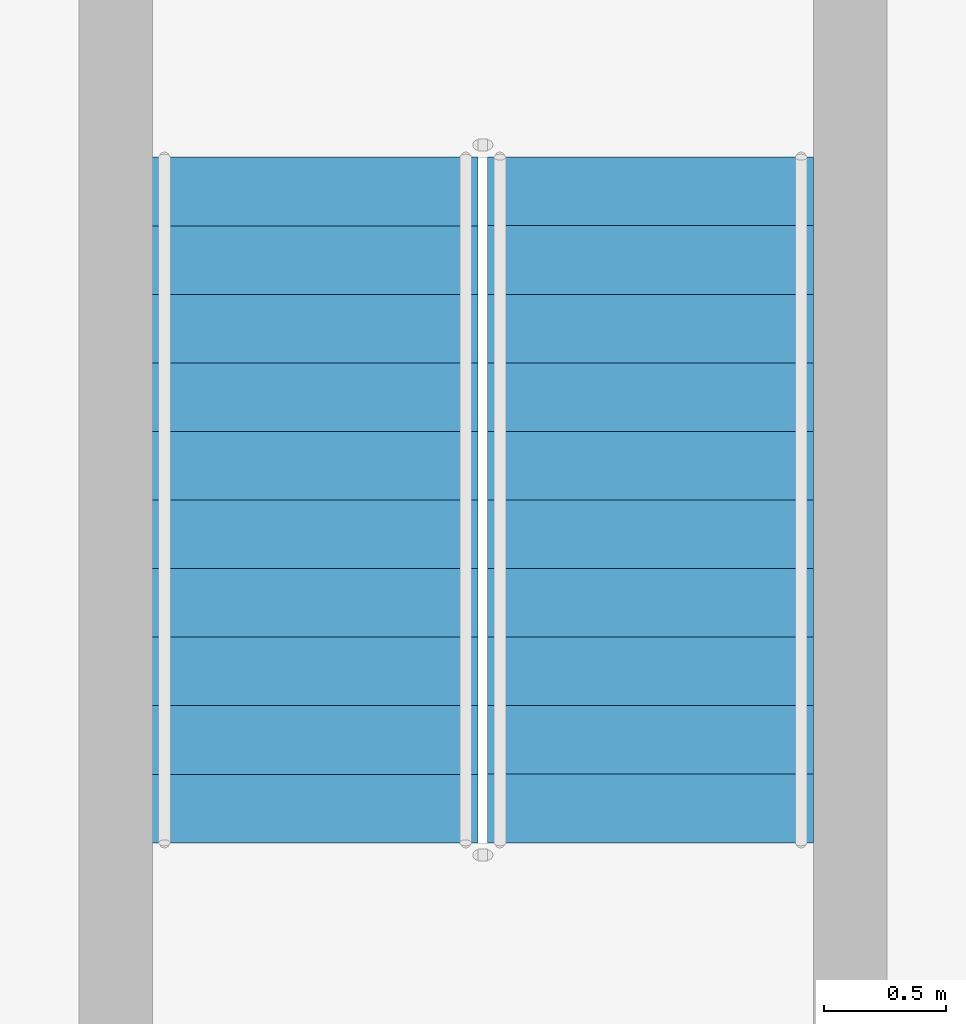
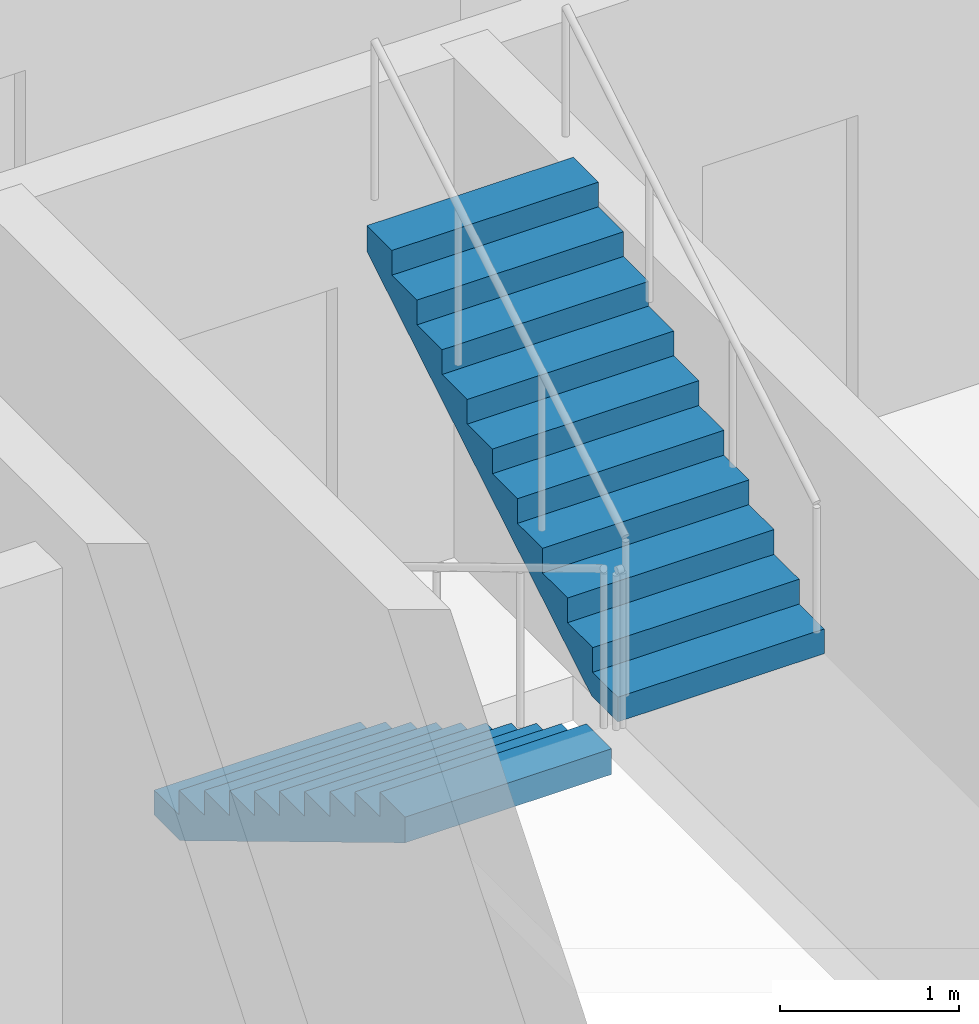
# One storey, part 14 of 20: 2 stair flights, 1 element without a shape of its own.
"""IFC4 building model written with IfcOpenShell, lengths in metres."""

from ifc_helpers import new_model, si_unit, direction, frame, origin, place, context, subcontext, project, spatial, triangles, source, transform, mapped, material, type_object, element, aggregate, save


model = new_model("IFC4")

# Units and contexts
model_context = context("Model", 3, precision=1e-05, world=origin(), true_north=direction((0.0, 1.0)))
body_context = subcontext(model_context, "Body", "Model", "MODEL_VIEW")
ifc_project = project(units=[si_unit("LENGTHUNIT", "METRE"), si_unit("AREAUNIT", "SQUARE_METRE"), si_unit("VOLUMEUNIT", "CUBIC_METRE"), si_unit("PLANEANGLEUNIT", "RADIAN"), si_unit("MASSUNIT", "GRAM", prefix="KILO")], contexts=[model_context])

# Site, building, storey
site_placement = place(None, origin())
site = spatial("IfcSite", under=ifc_project, at=site_placement, CompositionType="ELEMENT")
building_placement = place(site_placement, origin())
building = spatial("IfcBuilding", under=site, at=building_placement, Name="Ogive Portal Towers", CompositionType="ELEMENT")
storey_placement = place(building_placement, frame((0.0, 0.0, 195.800048828125)))
storey = spatial("IfcBuildingStorey", under=building, at=storey_placement, Name="L48", CompositionType="ELEMENT", Elevation=195.800048828125)

# Stair, stair flights
ifc_material = material(Name="Concrete C40/50", Category="concrete")
stair_type = type_object("IfcStairType", Name="INT-STAIR", PredefinedType="HALF_TURN_STAIR", material=ifc_material)
stair_placement = place(storey_placement, origin())
stair = element("IfcStair", 1, at=stair_placement, inside=storey, type_object=stair_type, Name="L48 Exit Stair ST-A4", PredefinedType="HALF_TURN_STAIR")
stair_flight_type = type_object("IfcStairFlightType", Name="INT-FLIGHT", PredefinedType="STRAIGHT", material=ifc_material)
shared_shape = source(origin(), body_context, "Body", "Tessellation", [
    triangles([(0.0, -0.6650390625, 0.0), (0.0, -0.384765625, 0.0), (0.0, -0.197021484375, 0.0), (0.0, -0.0830078125, 0.0), (0.0, -0.024658203125, 0.0), (0.0, -0.003173828125, 0.0), (0.0, 0.0, 0.0), (0.0, 0.003173828125, 0.0), (0.0, 0.024658203125, 0.0), (0.0, 0.0830078125, 0.0), (0.0, 0.197021484375, 0.0), (0.0, 0.384765625, 0.0), (0.0, 0.6650390625, 0.0), (0.0, -0.6650390625, 0.168212890625), (0.0, -0.384765625, 0.168212890625), (0.0, -0.197021484375, 0.168212890625), (0.0, -0.0830078125, 0.168212890625), (0.0, -0.024658203125, 0.168212890625), (0.0, -0.003173828125, 0.168212890625), (0.0, 0.0, 0.168212890625), (0.0, 0.003173828125, 0.168212890625), (0.0, 0.024658203125, 0.168212890625), (0.0, 0.0830078125, 0.168212890625), (0.0, 0.197021484375, 0.168212890625), (0.0, 0.384765625, 0.168212890625), (0.0, 0.6650390625, 0.168212890625), (0.280029296875, -0.6650390625, 0.168212890625), (0.280029296875, -0.384765625, 0.168212890625), (0.280029296875, -0.197021484375, 0.168212890625), (0.280029296875, -0.0830078125, 0.168212890625), (0.280029296875, -0.024658203125, 0.168212890625), (0.280029296875, -0.003173828125, 0.168212890625), (0.280029296875, 0.0, 0.168212890625), (0.280029296875, 0.003173828125, 0.168212890625), (0.280029296875, 0.024658203125, 0.168212890625), (0.280029296875, 0.0830078125, 0.168212890625), (0.280029296875, 0.197021484375, 0.168212890625), (0.280029296875, 0.384765625, 0.168212890625), (0.280029296875, 0.6650390625, 0.168212890625), (0.280029296875, -0.6650390625, 0.33642578125), (0.280029296875, -0.384765625, 0.33642578125), (0.280029296875, -0.197021484375, 0.33642578125), (0.280029296875, -0.0830078125, 0.33642578125), (0.280029296875, -0.024658203125, 0.33642578125), (0.280029296875, -0.003173828125, 0.33642578125), (0.280029296875, 0.0, 0.33642578125), (0.280029296875, 0.003173828125, 0.33642578125), (0.280029296875, 0.024658203125, 0.33642578125), (0.280029296875, 0.0830078125, 0.33642578125), (0.280029296875, 0.197021484375, 0.33642578125), (0.280029296875, 0.384765625, 0.33642578125), (0.280029296875, 0.6650390625, 0.33642578125), (0.56005859375, -0.6650390625, 0.33642578125), (0.56005859375, -0.384765625, 0.33642578125), (0.56005859375, -0.197021484375, 0.33642578125), (0.56005859375, -0.0830078125, 0.33642578125), (0.56005859375, -0.024658203125, 0.33642578125), (0.56005859375, -0.003173828125, 0.33642578125), (0.56005859375, 0.0, 0.33642578125), (0.56005859375, 0.003173828125, 0.33642578125), (0.56005859375, 0.024658203125, 0.33642578125), (0.56005859375, 0.0830078125, 0.33642578125), (0.56005859375, 0.197021484375, 0.33642578125), (0.56005859375, 0.384765625, 0.33642578125), (0.56005859375, 0.6650390625, 0.33642578125), (0.56005859375, -0.6650390625, 0.504638671875), (0.56005859375, -0.384765625, 0.504638671875), (0.56005859375, -0.197021484375, 0.504638671875), (0.56005859375, -0.0830078125, 0.504638671875), (0.56005859375, -0.024658203125, 0.504638671875), (0.56005859375, -0.003173828125, 0.504638671875), (0.56005859375, 0.0, 0.504638671875), (0.56005859375, 0.003173828125, 0.504638671875), (0.56005859375, 0.024658203125, 0.504638671875), (0.56005859375, 0.0830078125, 0.504638671875), (0.56005859375, 0.197021484375, 0.504638671875), (0.56005859375, 0.384765625, 0.504638671875), (0.56005859375, 0.6650390625, 0.504638671875), (0.840087890625, -0.6650390625, 0.504638671875), (0.840087890625, -0.384765625, 0.504638671875), (0.840087890625, -0.197021484375, 0.504638671875), (0.840087890625, -0.0830078125, 0.504638671875), (0.840087890625, -0.024658203125, 0.504638671875), (0.840087890625, -0.003173828125, 0.504638671875), (0.840087890625, 0.0, 0.504638671875), (0.840087890625, 0.003173828125, 0.504638671875), (0.840087890625, 0.024658203125, 0.504638671875), (0.840087890625, 0.0830078125, 0.504638671875), (0.840087890625, 0.197021484375, 0.504638671875), (0.840087890625, 0.384765625, 0.504638671875), (0.840087890625, 0.6650390625, 0.504638671875), (0.840087890625, -0.6650390625, 0.672607421875), (0.840087890625, -0.384765625, 0.672607421875), (0.840087890625, -0.197021484375, 0.672607421875), (0.840087890625, -0.0830078125, 0.672607421875), (0.840087890625, -0.024658203125, 0.672607421875), (0.840087890625, -0.003173828125, 0.672607421875), (0.840087890625, 0.0, 0.672607421875), (0.840087890625, 0.003173828125, 0.672607421875), (0.840087890625, 0.024658203125, 0.672607421875), (0.840087890625, 0.0830078125, 0.672607421875), (0.840087890625, 0.197021484375, 0.672607421875), (0.840087890625, 0.384765625, 0.672607421875), (0.840087890625, 0.6650390625, 0.672607421875), (1.1201171875, -0.6650390625, 0.672607421875), (1.1201171875, -0.384765625, 0.672607421875), (1.1201171875, -0.197021484375, 0.672607421875), (1.1201171875, -0.0830078125, 0.672607421875), (1.1201171875, -0.024658203125, 0.672607421875), (1.1201171875, -0.003173828125, 0.672607421875), (1.1201171875, 0.0, 0.672607421875), (1.1201171875, 0.003173828125, 0.672607421875), (1.1201171875, 0.024658203125, 0.672607421875), (1.1201171875, 0.0830078125, 0.672607421875), (1.1201171875, 0.197021484375, 0.672607421875), (1.1201171875, 0.384765625, 0.672607421875), (1.1201171875, 0.6650390625, 0.672607421875), (1.1201171875, -0.6650390625, 0.8408203125), (1.1201171875, -0.384765625, 0.8408203125), (1.1201171875, -0.197021484375, 0.8408203125), (1.1201171875, -0.0830078125, 0.8408203125), (1.1201171875, -0.024658203125, 0.8408203125), (1.1201171875, -0.003173828125, 0.8408203125), (1.1201171875, 0.0, 0.8408203125), (1.1201171875, 0.003173828125, 0.8408203125), (1.1201171875, 0.024658203125, 0.8408203125), (1.1201171875, 0.0830078125, 0.8408203125), (1.1201171875, 0.197021484375, 0.8408203125), (1.1201171875, 0.384765625, 0.8408203125), (1.1201171875, 0.6650390625, 0.8408203125), (1.39990234375, -0.6650390625, 0.8408203125), (1.39990234375, -0.384765625, 0.8408203125), (1.39990234375, -0.197021484375, 0.8408203125), (1.39990234375, -0.0830078125, 0.8408203125), (1.39990234375, -0.024658203125, 0.8408203125), (1.39990234375, -0.003173828125, 0.8408203125), (1.39990234375, 0.0, 0.8408203125), (1.39990234375, 0.003173828125, 0.8408203125), (1.39990234375, 0.024658203125, 0.8408203125), (1.39990234375, 0.0830078125, 0.8408203125), (1.39990234375, 0.197021484375, 0.8408203125), (1.39990234375, 0.384765625, 0.8408203125), (1.39990234375, 0.6650390625, 0.8408203125), (1.39990234375, -0.6650390625, 1.009033203125), (1.39990234375, -0.384765625, 1.009033203125), (1.39990234375, -0.197021484375, 1.009033203125), (1.39990234375, -0.0830078125, 1.009033203125), (1.39990234375, -0.024658203125, 1.009033203125), (1.39990234375, -0.003173828125, 1.009033203125), (1.39990234375, 0.0, 1.009033203125), (1.39990234375, 0.003173828125, 1.009033203125), (1.39990234375, 0.024658203125, 1.009033203125), (1.39990234375, 0.0830078125, 1.009033203125), (1.39990234375, 0.197021484375, 1.009033203125), (1.39990234375, 0.384765625, 1.009033203125), (1.39990234375, 0.6650390625, 1.009033203125), (1.679931640625, -0.6650390625, 1.009033203125), (1.679931640625, -0.384765625, 1.009033203125), (1.679931640625, -0.197021484375, 1.009033203125), (1.679931640625, -0.0830078125, 1.009033203125), (1.679931640625, -0.024658203125, 1.009033203125), (1.679931640625, -0.003173828125, 1.009033203125), (1.679931640625, 0.0, 1.009033203125), (1.679931640625, 0.003173828125, 1.009033203125), (1.679931640625, 0.024658203125, 1.009033203125), (1.679931640625, 0.0830078125, 1.009033203125), (1.679931640625, 0.197021484375, 1.009033203125), (1.679931640625, 0.384765625, 1.009033203125), (1.679931640625, 0.6650390625, 1.009033203125), (1.679931640625, -0.6650390625, 1.17724609375), (1.679931640625, -0.384765625, 1.17724609375), (1.679931640625, -0.197021484375, 1.17724609375), (1.679931640625, -0.0830078125, 1.17724609375), (1.679931640625, -0.024658203125, 1.17724609375), (1.679931640625, -0.003173828125, 1.17724609375), (1.679931640625, 0.0, 1.17724609375), (1.679931640625, 0.003173828125, 1.17724609375), (1.679931640625, 0.024658203125, 1.17724609375), (1.679931640625, 0.0830078125, 1.17724609375), (1.679931640625, 0.197021484375, 1.17724609375), (1.679931640625, 0.384765625, 1.17724609375), (1.679931640625, 0.6650390625, 1.17724609375), (1.9599609375, -0.6650390625, 1.17724609375), (1.9599609375, -0.384765625, 1.17724609375), (1.9599609375, -0.197021484375, 1.17724609375), (1.9599609375, -0.0830078125, 1.17724609375), (1.9599609375, -0.024658203125, 1.17724609375), (1.9599609375, -0.003173828125, 1.17724609375), (1.9599609375, 0.0, 1.17724609375), (1.9599609375, 0.003173828125, 1.17724609375), (1.9599609375, 0.024658203125, 1.17724609375), (1.9599609375, 0.0830078125, 1.17724609375), (1.9599609375, 0.197021484375, 1.17724609375), (1.9599609375, 0.384765625, 1.17724609375), (1.9599609375, 0.6650390625, 1.17724609375), (1.9599609375, -0.6650390625, 1.345458984375), (1.9599609375, -0.384765625, 1.345458984375), (1.9599609375, -0.197021484375, 1.345458984375), (1.9599609375, -0.0830078125, 1.345458984375), (1.9599609375, -0.024658203125, 1.345458984375), (1.9599609375, -0.003173828125, 1.345458984375), (1.9599609375, 0.0, 1.345458984375), (1.9599609375, 0.003173828125, 1.345458984375), (1.9599609375, 0.024658203125, 1.345458984375), (1.9599609375, 0.0830078125, 1.345458984375), (1.9599609375, 0.197021484375, 1.345458984375), (1.9599609375, 0.384765625, 1.345458984375), (1.9599609375, 0.6650390625, 1.345458984375), (2.239990234375, -0.6650390625, 1.345458984375), (2.239990234375, -0.384765625, 1.345458984375), (2.239990234375, -0.197021484375, 1.345458984375), (2.239990234375, -0.0830078125, 1.345458984375), (2.239990234375, -0.024658203125, 1.345458984375), (2.239990234375, -0.003173828125, 1.345458984375), (2.239990234375, 0.0, 1.345458984375), (2.239990234375, 0.003173828125, 1.345458984375), (2.239990234375, 0.024658203125, 1.345458984375), (2.239990234375, 0.0830078125, 1.345458984375), (2.239990234375, 0.197021484375, 1.345458984375), (2.239990234375, 0.384765625, 1.345458984375), (2.239990234375, 0.6650390625, 1.345458984375), (2.239990234375, -0.6650390625, 1.513671875), (2.239990234375, -0.384765625, 1.513671875), (2.239990234375, -0.197021484375, 1.513671875), (2.239990234375, -0.0830078125, 1.513671875), (2.239990234375, -0.024658203125, 1.513671875), (2.239990234375, -0.003173828125, 1.513671875), (2.239990234375, 0.0, 1.513671875), (2.239990234375, 0.003173828125, 1.513671875), (2.239990234375, 0.024658203125, 1.513671875), (2.239990234375, 0.0830078125, 1.513671875), (2.239990234375, 0.197021484375, 1.513671875), (2.239990234375, 0.384765625, 1.513671875), (2.239990234375, 0.6650390625, 1.513671875), (2.52001953125, -0.6650390625, 1.513671875), (2.52001953125, -0.384765625, 1.513671875), (2.52001953125, -0.197021484375, 1.513671875), (2.52001953125, -0.0830078125, 1.513671875), (2.52001953125, -0.024658203125, 1.513671875), (2.52001953125, -0.003173828125, 1.513671875), (2.52001953125, 0.0, 1.513671875), (2.52001953125, 0.003173828125, 1.513671875), (2.52001953125, 0.024658203125, 1.513671875), (2.52001953125, 0.0830078125, 1.513671875), (2.52001953125, 0.197021484375, 1.513671875), (2.52001953125, 0.384765625, 1.513671875), (2.52001953125, 0.6650390625, 1.513671875), (2.52001953125, -0.6650390625, 1.681884765625), (2.52001953125, -0.384765625, 1.681884765625), (2.52001953125, -0.197021484375, 1.681884765625), (2.52001953125, -0.0830078125, 1.681884765625), (2.52001953125, -0.024658203125, 1.681884765625), (2.52001953125, -0.003173828125, 1.681884765625), (2.52001953125, 0.0, 1.681884765625), (2.52001953125, 0.003173828125, 1.681884765625), (2.52001953125, 0.024658203125, 1.681884765625), (2.52001953125, 0.0830078125, 1.681884765625), (2.52001953125, 0.197021484375, 1.681884765625), (2.52001953125, 0.384765625, 1.681884765625), (2.52001953125, 0.6650390625, 1.681884765625), (2.800048828125, -0.6650390625, 1.681884765625), (2.800048828125, -0.384765625, 1.681884765625), (2.800048828125, -0.197021484375, 1.681884765625), (2.800048828125, -0.0830078125, 1.681884765625), (2.800048828125, -0.024658203125, 1.681884765625), (2.800048828125, -0.003173828125, 1.681884765625), (2.800048828125, 0.0, 1.681884765625), (2.800048828125, 0.003173828125, 1.681884765625), (2.800048828125, 0.024658203125, 1.681884765625), (2.800048828125, 0.0830078125, 1.681884765625), (2.800048828125, 0.197021484375, 1.681884765625), (2.800048828125, 0.384765625, 1.681884765625), (2.800048828125, 0.6650390625, 1.681884765625), (2.800048828125, -0.6650390625, 1.5068359375), (2.800048828125, -0.384765625, 1.5068359375), (2.800048828125, -0.197021484375, 1.5068359375), (2.800048828125, -0.0830078125, 1.5068359375), (2.800048828125, -0.024658203125, 1.5068359375), (2.800048828125, -0.003173828125, 1.5068359375), (2.800048828125, 0.0, 1.5068359375), (2.800048828125, 0.003173828125, 1.5068359375), (2.800048828125, 0.024658203125, 1.5068359375), (2.800048828125, 0.0830078125, 1.5068359375), (2.800048828125, 0.197021484375, 1.5068359375), (2.800048828125, 0.384765625, 1.5068359375), (2.800048828125, 0.6650390625, 1.5068359375), (0.291015625, -0.6650390625, 0.0), (0.291015625, -0.384765625, 0.0), (0.291015625, -0.197021484375, 0.0), (0.291015625, -0.0830078125, 0.0), (0.291015625, -0.024658203125, 0.0), (0.291015625, -0.003173828125, 0.0), (0.291015625, 0.0, 0.0), (0.291015625, 0.003173828125, 0.0), (0.291015625, 0.024658203125, 0.0), (0.291015625, 0.0830078125, 0.0), (0.291015625, 0.197021484375, 0.0), (0.291015625, 0.384765625, 0.0), (0.291015625, 0.6650390625, 0.0)], [[1, 14, 15], [1, 15, 2], [2, 15, 16], [2, 16, 3], [3, 16, 17], [3, 17, 4], [4, 17, 18], [4, 18, 5], [5, 18, 19], [5, 19, 6], [6, 19, 20], [6, 20, 7], [7, 20, 21], [7, 21, 8], [8, 21, 22], [8, 22, 9], [9, 22, 23], [9, 23, 10], [10, 23, 24], [10, 24, 11], [11, 24, 25], [11, 25, 12], [12, 25, 26], [12, 26, 13], [14, 27, 28], [14, 28, 15], [15, 28, 29], [15, 29, 16], [16, 29, 30], [16, 30, 17], [17, 30, 31], [17, 31, 18], [18, 31, 32], [18, 32, 19], [19, 32, 33], [19, 33, 20], [20, 33, 34], [20, 34, 21], [21, 34, 35], [21, 35, 22], [22, 35, 36], [22, 36, 23], [23, 36, 37], [23, 37, 24], [24, 37, 38], [24, 38, 25], [25, 38, 39], [25, 39, 26], [27, 40, 41], [27, 41, 28], [28, 41, 42], [28, 42, 29], [29, 42, 43], [29, 43, 30], [30, 43, 44], [30, 44, 31], [31, 44, 45], [31, 45, 32], [32, 45, 46], [32, 46, 33], [33, 46, 47], [33, 47, 34], [34, 47, 48], [34, 48, 35], [35, 48, 49], [35, 49, 36], [36, 49, 50], [36, 50, 37], [37, 50, 51], [37, 51, 38], [38, 51, 52], [38, 52, 39], [40, 53, 54], [40, 54, 41], [41, 54, 55], [41, 55, 42], [42, 55, 56], [42, 56, 43], [43, 56, 57], [43, 57, 44], [44, 57, 58], [44, 58, 45], [45, 58, 59], [45, 59, 46], [46, 59, 60], [46, 60, 47], [47, 60, 61], [47, 61, 48], [48, 61, 62], [48, 62, 49], [49, 62, 63], [49, 63, 50], [50, 63, 64], [50, 64, 51], [51, 64, 65], [51, 65, 52], [53, 66, 67], [53, 67, 54], [54, 67, 68], [54, 68, 55], [55, 68, 69], [55, 69, 56], [56, 69, 70], [56, 70, 57], [57, 70, 71], [57, 71, 58], [58, 71, 72], [58, 72, 59], [59, 72, 73], [59, 73, 60], [60, 73, 74], [60, 74, 61], [61, 74, 75], [61, 75, 62], [62, 75, 76], [62, 76, 63], [63, 76, 77], [63, 77, 64], [64, 77, 78], [64, 78, 65], [66, 79, 80], [66, 80, 67], [67, 80, 81], [67, 81, 68], [68, 81, 82], [68, 82, 69], [69, 82, 83], [69, 83, 70], [70, 83, 84], [70, 84, 71], [71, 84, 85], [71, 85, 72], [72, 85, 86], [72, 86, 73], [73, 86, 87], [73, 87, 74], [74, 87, 88], [74, 88, 75], [75, 88, 89], [75, 89, 76], [76, 89, 90], [76, 90, 77], [77, 90, 91], [77, 91, 78], [79, 92, 93], [79, 93, 80], [80, 93, 94], [80, 94, 81], [81, 94, 95], [81, 95, 82], [82, 95, 96], [82, 96, 83], [83, 96, 97], [83, 97, 84], [84, 97, 98], [84, 98, 85], [85, 98, 99], [85, 99, 86], [86, 99, 100], [86, 100, 87], [87, 100, 101], [87, 101, 88], [88, 101, 102], [88, 102, 89], [89, 102, 103], [89, 103, 90], [90, 103, 104], [90, 104, 91], [92, 105, 106], [92, 106, 93], [93, 106, 107], [93, 107, 94], [94, 107, 108], [94, 108, 95], [95, 108, 109], [95, 109, 96], [96, 109, 110], [96, 110, 97], [97, 110, 111], [97, 111, 98], [98, 111, 112], [98, 112, 99], [99, 112, 113], [99, 113, 100], [100, 113, 114], [100, 114, 101], [101, 114, 115], [101, 115, 102], [102, 115, 116], [102, 116, 103], [103, 116, 117], [103, 117, 104], [105, 118, 119], [105, 119, 106], [106, 119, 120], [106, 120, 107], [107, 120, 121], [107, 121, 108], [108, 121, 122], [108, 122, 109], [109, 122, 123], [109, 123, 110], [110, 123, 124], [110, 124, 111], [111, 124, 125], [111, 125, 112], [112, 125, 126], [112, 126, 113], [113, 126, 127], [113, 127, 114], [114, 127, 128], [114, 128, 115], [115, 128, 129], [115, 129, 116], [116, 129, 130], [116, 130, 117], [118, 131, 132], [118, 132, 119], [119, 132, 133], [119, 133, 120], [120, 133, 134], [120, 134, 121], [121, 134, 135], [121, 135, 122], [122, 135, 136], [122, 136, 123], [123, 136, 137], [123, 137, 124], [124, 137, 138], [124, 138, 125], [125, 138, 139], [125, 139, 126], [126, 139, 140], [126, 140, 127], [127, 140, 141], [127, 141, 128], [128, 141, 142], [128, 142, 129], [129, 142, 143], [129, 143, 130], [131, 144, 145], [131, 145, 132], [132, 145, 146], [132, 146, 133], [133, 146, 147], [133, 147, 134], [134, 147, 148], [134, 148, 135], [135, 148, 149], [135, 149, 136], [136, 149, 150], [136, 150, 137], [137, 150, 151], [137, 151, 138], [138, 151, 152], [138, 152, 139], [139, 152, 153], [139, 153, 140], [140, 153, 154], [140, 154, 141], [141, 154, 155], [141, 155, 142], [142, 155, 156], [142, 156, 143], [144, 157, 158], [144, 158, 145], [145, 158, 159], [145, 159, 146], [146, 159, 160], [146, 160, 147], [147, 160, 161], [147, 161, 148], [148, 161, 162], [148, 162, 149], [149, 162, 163], [149, 163, 150], [150, 163, 164], [150, 164, 151], [151, 164, 165], [151, 165, 152], [152, 165, 166], [152, 166, 153], [153, 166, 167], [153, 167, 154], [154, 167, 168], [154, 168, 155], [155, 168, 169], [155, 169, 156], [157, 170, 171], [157, 171, 158], [158, 171, 172], [158, 172, 159], [159, 172, 173], [159, 173, 160], [160, 173, 174], [160, 174, 161], [161, 174, 175], [161, 175, 162], [162, 175, 176], [162, 176, 163], [163, 176, 177], [163, 177, 164], [164, 177, 178], [164, 178, 165], [165, 178, 179], [165, 179, 166], [166, 179, 180], [166, 180, 167], [167, 180, 181], [167, 181, 168], [168, 181, 182], [168, 182, 169], [170, 183, 184], [170, 184, 171], [171, 184, 185], [171, 185, 172], [172, 185, 186], [172, 186, 173], [173, 186, 187], [173, 187, 174], [174, 187, 188], [174, 188, 175], [175, 188, 189], [175, 189, 176], [176, 189, 190], [176, 190, 177], [177, 190, 191], [177, 191, 178], [178, 191, 192], [178, 192, 179], [179, 192, 193], [179, 193, 180], [180, 193, 194], [180, 194, 181], [181, 194, 195], [181, 195, 182], [183, 196, 197], [183, 197, 184], [184, 197, 198], [184, 198, 185], [185, 198, 199], [185, 199, 186], [186, 199, 200], [186, 200, 187], [187, 200, 201], [187, 201, 188], [188, 201, 202], [188, 202, 189], [189, 202, 203], [189, 203, 190], [190, 203, 204], [190, 204, 191], [191, 204, 205], [191, 205, 192], [192, 205, 206], [192, 206, 193], [193, 206, 207], [193, 207, 194], [194, 207, 208], [194, 208, 195], [196, 209, 210], [196, 210, 197], [197, 210, 211], [197, 211, 198], [198, 211, 212], [198, 212, 199], [199, 212, 213], [199, 213, 200], [200, 213, 214], [200, 214, 201], [201, 214, 215], [201, 215, 202], [202, 215, 216], [202, 216, 203], [203, 216, 217], [203, 217, 204], [204, 217, 218], [204, 218, 205], [205, 218, 219], [205, 219, 206], [206, 219, 220], [206, 220, 207], [207, 220, 221], [207, 221, 208], [209, 222, 223], [209, 223, 210], [210, 223, 224], [210, 224, 211], [211, 224, 225], [211, 225, 212], [212, 225, 226], [212, 226, 213], [213, 226, 227], [213, 227, 214], [214, 227, 228], [214, 228, 215], [215, 228, 229], [215, 229, 216], [216, 229, 230], [216, 230, 217], [217, 230, 231], [217, 231, 218], [218, 231, 232], [218, 232, 219], [219, 232, 233], [219, 233, 220], [220, 233, 234], [220, 234, 221], [222, 235, 236], [222, 236, 223], [223, 236, 237], [223, 237, 224], [224, 237, 238], [224, 238, 225], [225, 238, 239], [225, 239, 226], [226, 239, 240], [226, 240, 227], [227, 240, 241], [227, 241, 228], [228, 241, 242], [228, 242, 229], [229, 242, 243], [229, 243, 230], [230, 243, 244], [230, 244, 231], [231, 244, 245], [231, 245, 232], [232, 245, 246], [232, 246, 233], [233, 246, 247], [233, 247, 234], [235, 248, 249], [235, 249, 236], [236, 249, 250], [236, 250, 237], [237, 250, 251], [237, 251, 238], [238, 251, 252], [238, 252, 239], [239, 252, 253], [239, 253, 240], [240, 253, 254], [240, 254, 241], [241, 254, 255], [241, 255, 242], [242, 255, 256], [242, 256, 243], [243, 256, 257], [243, 257, 244], [244, 257, 258], [244, 258, 245], [245, 258, 259], [245, 259, 246], [246, 259, 260], [246, 260, 247], [248, 261, 262], [248, 262, 249], [249, 262, 263], [249, 263, 250], [250, 263, 264], [250, 264, 251], [251, 264, 265], [251, 265, 252], [252, 265, 266], [252, 266, 253], [253, 266, 267], [253, 267, 254], [254, 267, 268], [254, 268, 255], [255, 268, 269], [255, 269, 256], [256, 269, 270], [256, 270, 257], [257, 270, 271], [257, 271, 258], [258, 271, 272], [258, 272, 259], [259, 272, 273], [259, 273, 260], [261, 274, 275], [261, 275, 262], [262, 275, 276], [262, 276, 263], [263, 276, 277], [263, 277, 264], [264, 277, 278], [264, 278, 265], [265, 278, 279], [265, 279, 266], [266, 279, 280], [266, 280, 267], [267, 280, 281], [267, 281, 268], [268, 281, 282], [268, 282, 269], [269, 282, 283], [269, 283, 270], [270, 283, 284], [270, 284, 271], [271, 284, 285], [271, 285, 272], [272, 285, 286], [272, 286, 273], [274, 287, 288], [274, 288, 275], [275, 288, 289], [275, 289, 276], [276, 289, 290], [276, 290, 277], [277, 290, 291], [277, 291, 278], [278, 291, 292], [278, 292, 279], [279, 292, 293], [279, 293, 280], [280, 293, 294], [280, 294, 281], [281, 294, 295], [281, 295, 282], [282, 295, 296], [282, 296, 283], [283, 296, 297], [283, 297, 284], [284, 297, 298], [284, 298, 285], [285, 298, 299], [285, 299, 286], [287, 1, 2], [287, 2, 288], [288, 2, 3], [288, 3, 289], [289, 3, 4], [289, 4, 290], [290, 4, 5], [290, 5, 291], [291, 5, 6], [291, 6, 292], [292, 6, 7], [292, 7, 293], [293, 7, 8], [293, 8, 294], [294, 8, 9], [294, 9, 295], [295, 9, 10], [295, 10, 296], [296, 10, 11], [296, 11, 297], [297, 11, 12], [297, 12, 298], [298, 12, 13], [298, 13, 299], [1, 287, 274], [13, 286, 299], [274, 261, 248], [286, 260, 273], [274, 248, 235], [286, 247, 260], [274, 235, 222], [286, 234, 247], [274, 222, 209], [286, 221, 234], [209, 196, 183], [221, 195, 208], [274, 209, 183], [286, 195, 221], [183, 170, 157], [195, 169, 182], [274, 183, 157], [286, 169, 195], [157, 144, 131], [169, 143, 156], [274, 157, 131], [286, 143, 169], [131, 118, 105], [143, 117, 130], [274, 131, 105], [286, 117, 143], [1, 274, 105], [13, 117, 286], [105, 92, 79], [117, 91, 104], [79, 66, 53], [91, 65, 78], [105, 79, 53], [117, 65, 91], [53, 40, 27], [65, 39, 52], [105, 53, 27], [117, 39, 65], [1, 105, 27], [13, 39, 117], [27, 14, 1], [39, 13, 26]], closed=True),
])
stair_flight_1_placement = place(storey_placement, frame((87.6650390625, 29.169921875, 0.0), z_axis=(0.0, 0.0, 1.0), x_axis=(0.0, -1.0, 0.0)))
stair_flight_1 = element("IfcStairFlight", 2, at=stair_flight_1_placement, type_object=stair_flight_type, Name="ST-A4 flight 1", NumberOfRisers=11, NumberOfTreads=10, PredefinedType="STRAIGHT", RiserHeight=0.168181818, TreadLength=0.28, context=body_context, shape_type="MappedRepresentation", body=[
    mapped(shared_shape, transform((0.0, 0.0, 0.0), scale=1.0)),
])
stair_flight_2_placement = place(storey_placement, frame((89.034912109375, 26.3701171875, 1.849853515625), z_axis=(0.0, 0.0, 1.0), x_axis=(0.0, 1.0, 0.0)))
stair_flight_2 = element("IfcStairFlight", 3, at=stair_flight_2_placement, type_object=stair_flight_type, Name="ST-A4 flight 2", NumberOfRisers=11, NumberOfTreads=10, PredefinedType="STRAIGHT", RiserHeight=0.168181818, TreadLength=0.28, context=body_context, shape_type="MappedRepresentation", body=[
    mapped(shared_shape, transform((0.0, 0.0, 0.0), scale=1.0)),
])
aggregate(stair, [stair_flight_1, stair_flight_2])

save(model, "model.ifc")
